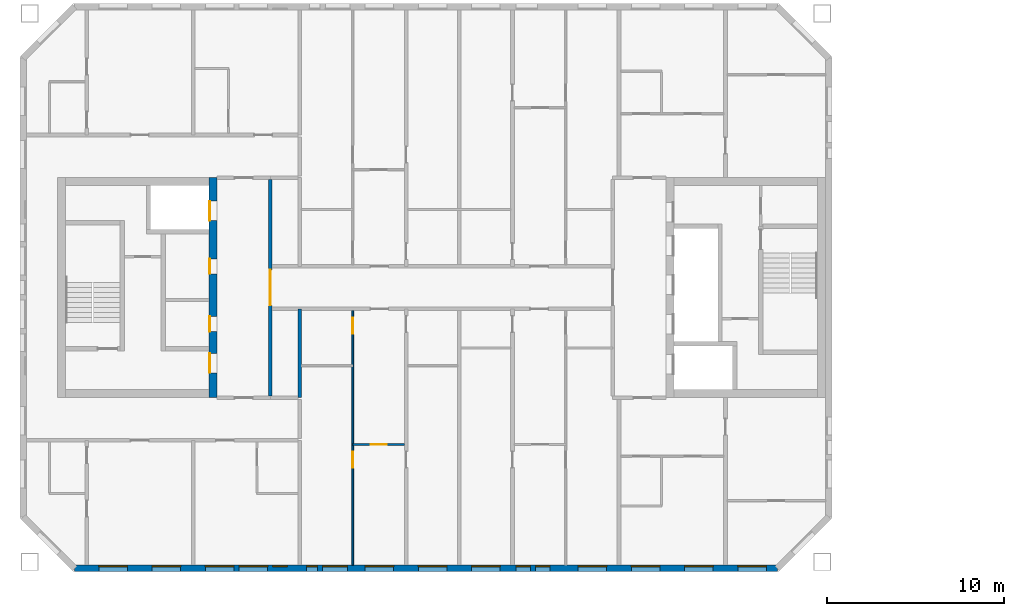
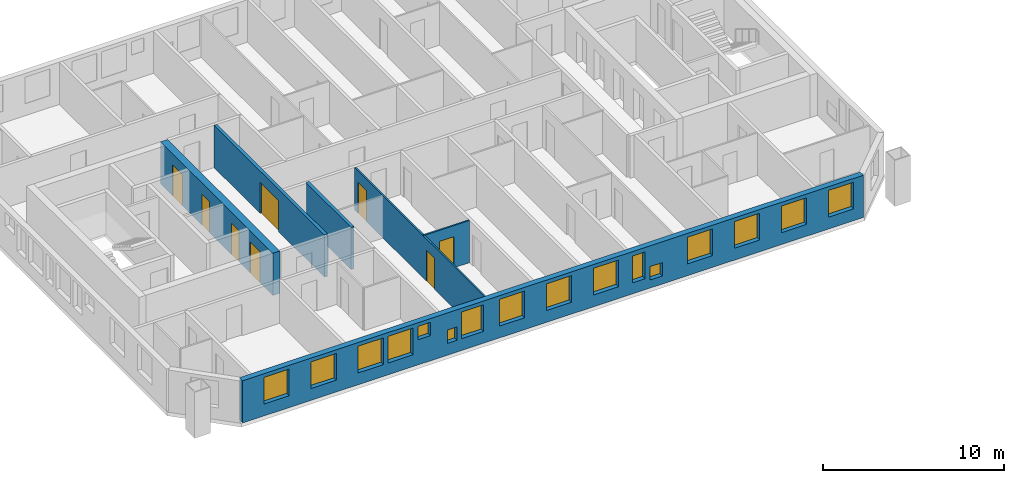
# One storey, part 3 of 15: 16 windows, 8 doors, 6 walls, 24 openings.
"""IFC4 building model written with IfcOpenShell, lengths in metres."""

import ifcopenshell
import ifcopenshell.guid

model = None  # the IFC model being written
_history = None  # IfcOwnerHistory: only IFC2X3 demands one
_inside = {}  # id of a spatial element -> (the spatial element, [elements in it])
_under = {}  # id of a project, library or spatial element -> (it, [spatial elements below it])
_declared = {}  # id of a project -> (the project, [libraries it declares])
_typed = {}  # id of a type object -> (the type object, [elements of that type])
_made_of = {}  # id of a material, layer set ... -> (it, [elements and type objects made of it])


def new_model(schema):
    """Start an empty IFC model of exactly this schema.

    Asked for "IFC4X3", IfcOpenShell would pick the latest addendum, in which some entities
    have other attributes; the version numbers below select the first issue.
    IFC2X3 requires an IfcOwnerHistory on every rooted entity: one is made here for all.
    """
    global model, _history
    if schema == "IFC4X3":
        model = ifcopenshell.file(schema_version=(4, 3, 0, 0))
    else:
        model = ifcopenshell.file(schema=schema)
    _inside.clear()
    _under.clear()
    _declared.clear()
    _typed.clear()
    _made_of.clear()
    _history = None
    if model.schema == "IFC2X3":
        org = make("IfcOrganization", Name="unknown")
        user = make(
            "IfcPersonAndOrganization",
            ThePerson=make("IfcPerson", FamilyName="unknown"),
            TheOrganization=org,
        )
        app = make(
            "IfcApplication",
            ApplicationDeveloper=org,
            Version="unknown",
            ApplicationFullName="unknown",
            ApplicationIdentifier="unknown",
        )
        _history = make(
            "IfcOwnerHistory",
            OwningUser=user,
            OwningApplication=app,
            ChangeAction="ADDED",
            CreationDate=0,
        )
    return model


def make(cls, **values):
    """One entity of the class cls with the attributes given. An attribute that is None is left unset."""
    return model.create_entity(
        cls, **{name: value for name, value in values.items() if value is not None}
    )


def rooted(cls, **values):
    """An entity with a GlobalId (a new one), such as an element, a storey or a relation."""
    return make(cls, GlobalId=ifcopenshell.guid.new(), OwnerHistory=_history, **values)


def si_unit(unit_type, name, prefix=None):
    """IfcSIUnit, for example si_unit("LENGTHUNIT", "METRE", prefix="MILLI")."""
    return make("IfcSIUnit", UnitType=unit_type, Prefix=prefix, Name=name)


def assignment(units):
    """IfcUnitAssignment: the units of a project."""
    return None if units is None else make("IfcUnitAssignment", Units=units)


def point(xyz):
    """IfcCartesianPoint."""
    return None if xyz is None else make("IfcCartesianPoint", Coordinates=xyz)


def direction(xyz):
    """IfcDirection."""
    return None if xyz is None else make("IfcDirection", DirectionRatios=xyz)


def frame(location, z_axis=None, x_axis=None):
    """IfcAxis2Placement3D, a coordinate frame: its origin and axes. An axis left out is left unset."""
    return make(
        "IfcAxis2Placement3D",
        Location=point(location),
        Axis=direction(z_axis),
        RefDirection=direction(x_axis),
    )


def frame_2d(location, x_axis=None):
    """IfcAxis2Placement2D, a coordinate frame in the plane: its origin and x axis."""
    return make(
        "IfcAxis2Placement2D", Location=point(location), RefDirection=direction(x_axis)
    )


def origin():
    """The frame at (0, 0, 0) with its axes left unset."""
    return frame((0.0, 0.0, 0.0))


def place(relative_to, where):
    """IfcLocalPlacement: puts the frame where relative to a parent placement (None: the world)."""
    return make(
        "IfcLocalPlacement", PlacementRelTo=relative_to, RelativePlacement=where
    )


def context(
    kind, dimensions, precision=None, world=None, true_north=None, identifier=None
):
    """IfcGeometricRepresentationContext, for example the 3D "Model" context."""
    return make(
        "IfcGeometricRepresentationContext",
        ContextIdentifier=identifier,
        ContextType=kind,
        CoordinateSpaceDimension=dimensions,
        Precision=precision,
        WorldCoordinateSystem=world,
        TrueNorth=true_north,
    )


def subcontext(parent, identifier, kind, view, scale=None):
    """IfcGeometricRepresentationSubContext, for example "Body" below "Model"."""
    return make(
        "IfcGeometricRepresentationSubContext",
        ContextIdentifier=identifier,
        ContextType=kind,
        ParentContext=parent,
        TargetScale=scale,
        TargetView=view,
    )


def project(units=None, contexts=None):
    """IfcProject with its units and contexts."""
    return rooted(
        "IfcProject",
        Name="project",
        RepresentationContexts=contexts,
        UnitsInContext=assignment(units),
    )


def spatial(cls, under=None, at=None, **own):
    """A site, building, storey or space (cls), placed at a placement, below another one or the project."""
    s = rooted(cls, ObjectPlacement=at, **own)
    if under is not None:
        _under.setdefault(under.id(), (under, []))[1].append(s)
    return s


def profile(cls, at=None, kind="AREA", **sizes):
    """A parametric profile (cls). Its sizes go by their IFC names, for example OverallWidth=200.0."""
    return make(cls, ProfileType=kind, Position=at, **sizes)


def rectangle(**sizes):
    """IfcRectangleProfileDef."""
    return profile("IfcRectangleProfileDef", **sizes)


def extrude(swept, where, along, depth):
    """IfcExtrudedAreaSolid: the profile swept, set in the frame where, extruded along a direction by depth."""
    return make(
        "IfcExtrudedAreaSolid",
        SweptArea=swept,
        Position=where,
        ExtrudedDirection=direction(along),
        Depth=depth,
    )


def shape(context_of_items, identifier, shape_type, items):
    """IfcShapeRepresentation: the items that make up one representation, for example the "Body"."""
    return make(
        "IfcShapeRepresentation",
        ContextOfItems=context_of_items,
        RepresentationIdentifier=identifier,
        RepresentationType=shape_type,
        Items=items,
    )


def material(Name=None, Category=None):
    """IfcMaterial."""
    return make("IfcMaterial", Name=Name, Category=Category)


def layer(
    of_material, thickness, ventilated=None, Name=None, Category=None, Priority=None
):
    """IfcMaterialLayer: one layer of a wall or slab, of a material (None: an air gap)."""
    return make(
        "IfcMaterialLayer",
        Material=of_material,
        LayerThickness=thickness,
        IsVentilated=ventilated,
        Name=Name,
        Category=Category,
        Priority=Priority,
    )


def layer_set(layers, Name=None):
    """IfcMaterialLayerSet."""
    return make("IfcMaterialLayerSet", MaterialLayers=layers, LayerSetName=Name)


def made_of(thing, what):
    """Note that an element or type object is made of a material, layer set ...; save() writes the relation."""
    if what is not None:
        _made_of.setdefault(what.id(), (what, []))[1].append(thing)
    return thing


def type_object(cls, material=None, **own):
    """A type object (cls), such as IfcWallType, which elements share."""
    return made_of(rooted(cls, **own), material)


def element(
    cls,
    number,
    at=None,
    inside=None,
    cuts=None,
    type_object=None,
    material=None,
    context=None,
    identifier="Body",
    shape_type=None,
    held_by="IfcProductDefinitionShape",
    body=None,
    shapes=None,
    **own,
):
    """One element of the class cls, such as IfcWall. Its Tag is "e" and its number.

    at: its placement. inside: the storey or other place that contains it. cuts: it is an
    opening in that element (IfcRelVoidsElement). A single representation is given by context,
    identifier, shape_type and body (its items); several are given by shapes. held_by: the class
    of the entity that holds the representations. save() writes the other relations.
    """
    e = rooted(cls, Tag="e%d" % number, ObjectPlacement=at, **own)
    if body is not None:
        shapes = [shape(context, identifier, shape_type, body)]
    if shapes is not None:
        e.Representation = make(held_by, Representations=shapes)
    if inside is not None:
        _inside.setdefault(inside.id(), (inside, []))[1].append(e)
    if cuts is not None:
        rooted(
            "IfcRelVoidsElement", RelatingBuildingElement=cuts, RelatedOpeningElement=e
        )
    if type_object is not None:
        _typed.setdefault(type_object.id(), (type_object, []))[1].append(e)
    return made_of(e, material)


def fill(opening, filler):
    """IfcRelFillsElement: the door or window that sits in an opening."""
    return rooted(
        "IfcRelFillsElement",
        RelatingOpeningElement=opening,
        RelatedBuildingElement=filler,
    )


def aggregate(whole, parts):
    """IfcRelAggregates: a whole, such as a stair, and the parts it consists of."""
    return rooted("IfcRelAggregates", RelatingObject=whole, RelatedObjects=parts)


def save(model, path):
    """Write the relations noted so far, then the file.

    IfcRelAggregates (storeys below a building ...), IfcRelContainedInSpatialStructure (elements
    in a storey), IfcRelDefinesByType, IfcRelAssociatesMaterial and IfcRelDeclares: one each for
    every whole, place, type object, material and project.
    """
    for whole, parts in _under.values():
        aggregate(whole, parts)
    for where, things in _inside.values():
        rooted(
            "IfcRelContainedInSpatialStructure",
            RelatedElements=things,
            RelatingStructure=where,
        )
    for kind, things in _typed.values():
        rooted("IfcRelDefinesByType", RelatedObjects=things, RelatingType=kind)
    for what, things in _made_of.values():
        rooted("IfcRelAssociatesMaterial", RelatedObjects=things, RelatingMaterial=what)
    for by, libraries in _declared.values():
        rooted("IfcRelDeclares", RelatingContext=by, RelatedDefinitions=libraries)
    model.write(path)


model = new_model("IFC4")

# Units and contexts
model_context = context("Model", 3, precision=1e-05, world=origin(), true_north=direction((0.0, 1.0)))
body_context = subcontext(model_context, "Body", "Model", "MODEL_VIEW")
ifc_project = project(units=[si_unit("LENGTHUNIT", "METRE"), si_unit("AREAUNIT", "SQUARE_METRE"), si_unit("VOLUMEUNIT", "CUBIC_METRE"), si_unit("PLANEANGLEUNIT", "RADIAN"), si_unit("MASSUNIT", "GRAM", prefix="KILO")], contexts=[model_context])

# Site, building, storey
site_placement = place(None, origin())
site = spatial("IfcSite", under=ifc_project, at=site_placement, CompositionType="ELEMENT")
building_placement = place(site_placement, origin())
building = spatial("IfcBuilding", under=site, at=building_placement, Name="Tuart Gate Housing", CompositionType="ELEMENT")
storey_placement = place(building_placement, frame((0.0, 0.0, 185.10009765625)))
storey = spatial("IfcBuildingStorey", under=building, at=storey_placement, Name="L52", CompositionType="ELEMENT", Elevation=185.10009765625)

# Wall, openings, windows
ifc_material_1 = material(Name="Brick", Category="masonry")
ifc_layer_1 = layer(ifc_material_1, 0.360107421875)
ifc_layer_set_1 = layer_set([ifc_layer_1], Name="Brick pier and spandrel wall 360")
wall_type_1 = type_object("IfcWallType", Name="Brick pier and spandrel wall 360", PredefinedType="STANDARD", material=ifc_layer_set_1)
wall_1_placement = place(storey_placement, frame((33.32470703125, 54.179931640625, 0.0), z_axis=(0.0, 0.0, 1.0), x_axis=(1.0, 0.0, 0.0)))
wall_1 = element("IfcWall", 1, at=wall_1_placement, inside=storey, type_object=wall_type_1, Name="External wall A-S L52", PredefinedType="STANDARD", context=body_context, shape_type="SweptSolid", body=[
    extrude(rectangle(XDim=39.600830078125, YDim=0.360107421875, at=frame_2d((19.80029296875, 0.0))), origin(), (0.0, 0.0, 1.0), 2.849853515625),
])
opening_1_placement = place(wall_1_placement, frame((1.37548828125, 0.0, 0.800048828125)))
opening_1 = element("IfcOpeningElement", 2, at=opening_1_placement, cuts=wall_1, Name="Opening W1", PredefinedType="OPENING", context=body_context, shape_type="SweptSolid", body=[
    extrude(rectangle(XDim=1.60009765625, YDim=1.800048828125, at=frame_2d((0.800048828125, 0.89990234375))), frame((0.0, 0.18994140625, 0.0), z_axis=(0.0, -1.0, 0.0), x_axis=(1.0, 0.0, 0.0)), (0.0, 0.0, 1.0), 0.380126953125),
])
opening_2_placement = place(wall_1_placement, frame((4.37548828125, 0.0, 0.800048828125)))
opening_2 = element("IfcOpeningElement", 3, at=opening_2_placement, cuts=wall_1, Name="Opening W1", PredefinedType="OPENING", context=body_context, shape_type="SweptSolid", body=[
    extrude(rectangle(XDim=1.60009765625, YDim=1.800048828125, at=frame_2d((0.800048828125, 0.89990234375))), frame((0.0, 0.18994140625, 0.0), z_axis=(0.0, -1.0, 0.0), x_axis=(1.0, 0.0, 0.0)), (0.0, 0.0, 1.0), 0.380126953125),
])
opening_3_placement = place(wall_1_placement, frame((7.37548828125, 0.0, 0.800048828125)))
opening_3 = element("IfcOpeningElement", 4, at=opening_3_placement, cuts=wall_1, Name="Opening W1", PredefinedType="OPENING", context=body_context, shape_type="SweptSolid", body=[
    extrude(rectangle(XDim=1.60009765625, YDim=1.800048828125, at=frame_2d((0.800048828125, 0.89990234375))), frame((0.0, 0.18994140625, 0.0), z_axis=(0.0, -1.0, 0.0), x_axis=(1.0, 0.0, 0.0)), (0.0, 0.0, 1.0), 0.380126953125),
])
opening_4_placement = place(wall_1_placement, frame((9.275390625, 0.0, 0.800048828125)))
opening_4 = element("IfcOpeningElement", 5, at=opening_4_placement, cuts=wall_1, Name="Opening W1", PredefinedType="OPENING", context=body_context, shape_type="SweptSolid", body=[
    extrude(rectangle(XDim=1.60009765625, YDim=1.800048828125, at=frame_2d((0.800048828125, 0.89990234375))), frame((0.0, 0.18994140625, 0.0), z_axis=(0.0, -1.0, 0.0), x_axis=(1.0, 0.0, 0.0)), (0.0, 0.0, 1.0), 0.380126953125),
])
opening_5_placement = place(wall_1_placement, frame((13.075439453125, 0.0, 0.800048828125)))
opening_5 = element("IfcOpeningElement", 6, at=opening_5_placement, cuts=wall_1, Name="Opening W1W", PredefinedType="OPENING", context=body_context, shape_type="SweptSolid", body=[
    extrude(rectangle(XDim=0.60009765625, YDim=0.89990234375, at=frame_2d((0.300048828125, 0.449951171875))), frame((0.0, 0.18994140625, 0.0), z_axis=(0.0, -1.0, 0.0), x_axis=(1.0, 0.0, 0.0)), (0.0, 0.0, 1.0), 0.380126953125),
])
opening_6_placement = place(wall_1_placement, frame((16.37548828125, 0.0, 0.800048828125)))
opening_6 = element("IfcOpeningElement", 7, at=opening_6_placement, cuts=wall_1, Name="Opening W1", PredefinedType="OPENING", context=body_context, shape_type="SweptSolid", body=[
    extrude(rectangle(XDim=1.60009765625, YDim=1.800048828125, at=frame_2d((0.800048828125, 0.89990234375))), frame((0.0, 0.18994140625, 0.0), z_axis=(0.0, -1.0, 0.0), x_axis=(1.0, 0.0, 0.0)), (0.0, 0.0, 1.0), 0.380126953125),
])
opening_7_placement = place(wall_1_placement, frame((19.37548828125, 0.0, 0.800048828125)))
opening_7 = element("IfcOpeningElement", 8, at=opening_7_placement, cuts=wall_1, Name="Opening W1", PredefinedType="OPENING", context=body_context, shape_type="SweptSolid", body=[
    extrude(rectangle(XDim=1.60009765625, YDim=1.800048828125, at=frame_2d((0.800048828125, 0.89990234375))), frame((0.0, 0.18994140625, 0.0), z_axis=(0.0, -1.0, 0.0), x_axis=(1.0, 0.0, 0.0)), (0.0, 0.0, 1.0), 0.380126953125),
])
opening_8_placement = place(wall_1_placement, frame((22.37548828125, 0.0, 0.800048828125)))
opening_8 = element("IfcOpeningElement", 9, at=opening_8_placement, cuts=wall_1, Name="Opening W1", PredefinedType="OPENING", context=body_context, shape_type="SweptSolid", body=[
    extrude(rectangle(XDim=1.60009765625, YDim=1.800048828125, at=frame_2d((0.800048828125, 0.89990234375))), frame((0.0, 0.18994140625, 0.0), z_axis=(0.0, -1.0, 0.0), x_axis=(1.0, 0.0, 0.0)), (0.0, 0.0, 1.0), 0.380126953125),
])
opening_9_placement = place(wall_1_placement, frame((24.87548828125, 0.0, 0.75)))
opening_9 = element("IfcOpeningElement", 10, at=opening_9_placement, cuts=wall_1, Name="Opening W1D", PredefinedType="OPENING", context=body_context, shape_type="SweptSolid", body=[
    extrude(rectangle(XDim=0.800048828125, YDim=1.800048828125, at=frame_2d((0.39990234375, 0.89990234375))), frame((0.0, 0.18994140625, 0.0), z_axis=(0.0, -1.0, 0.0), x_axis=(1.0, 0.0, 0.0)), (0.0, 0.0, 1.0), 0.380126953125),
])
opening_10_placement = place(wall_1_placement, frame((28.37548828125, 0.0, 0.800048828125)))
opening_10 = element("IfcOpeningElement", 11, at=opening_10_placement, cuts=wall_1, Name="Opening W1", PredefinedType="OPENING", context=body_context, shape_type="SweptSolid", body=[
    extrude(rectangle(XDim=1.60009765625, YDim=1.800048828125, at=frame_2d((0.800048828125, 0.89990234375))), frame((0.0, 0.18994140625, 0.0), z_axis=(0.0, -1.0, 0.0), x_axis=(1.0, 0.0, 0.0)), (0.0, 0.0, 1.0), 0.380126953125),
])
opening_11_placement = place(wall_1_placement, frame((31.37548828125, 0.0, 0.800048828125)))
opening_11 = element("IfcOpeningElement", 12, at=opening_11_placement, cuts=wall_1, Name="Opening W1", PredefinedType="OPENING", context=body_context, shape_type="SweptSolid", body=[
    extrude(rectangle(XDim=1.60009765625, YDim=1.800048828125, at=frame_2d((0.800048828125, 0.89990234375))), frame((0.0, 0.18994140625, 0.0), z_axis=(0.0, -1.0, 0.0), x_axis=(1.0, 0.0, 0.0)), (0.0, 0.0, 1.0), 0.380126953125),
])
opening_12_placement = place(wall_1_placement, frame((34.37548828125, 0.0, 0.800048828125)))
opening_12 = element("IfcOpeningElement", 13, at=opening_12_placement, cuts=wall_1, Name="Opening W1", PredefinedType="OPENING", context=body_context, shape_type="SweptSolid", body=[
    extrude(rectangle(XDim=1.60009765625, YDim=1.800048828125, at=frame_2d((0.800048828125, 0.89990234375))), frame((0.0, 0.18994140625, 0.0), z_axis=(0.0, -1.0, 0.0), x_axis=(1.0, 0.0, 0.0)), (0.0, 0.0, 1.0), 0.380126953125),
])
opening_13_placement = place(wall_1_placement, frame((37.37548828125, 0.0, 0.800048828125)))
opening_13 = element("IfcOpeningElement", 14, at=opening_13_placement, cuts=wall_1, Name="Opening W1", PredefinedType="OPENING", context=body_context, shape_type="SweptSolid", body=[
    extrude(rectangle(XDim=1.60009765625, YDim=1.800048828125, at=frame_2d((0.800048828125, 0.89990234375))), frame((0.0, 0.18994140625, 0.0), z_axis=(0.0, -1.0, 0.0), x_axis=(1.0, 0.0, 0.0)), (0.0, 0.0, 1.0), 0.380126953125),
])
opening_14_placement = place(wall_1_placement, frame((11.17529296875, 0.0, 1.699951171875)))
opening_14 = element("IfcOpeningElement", 15, at=opening_14_placement, cuts=wall_1, Name="Opening W1V", PredefinedType="OPENING", context=body_context, shape_type="SweptSolid", body=[
    extrude(rectangle(XDim=0.800048828125, YDim=0.89990234375, at=frame_2d((0.39990234375, 0.449951171875))), frame((0.0, 0.18994140625, 0.0), z_axis=(0.0, -1.0, 0.0), x_axis=(1.0, 0.0, 0.0)), (0.0, 0.0, 1.0), 0.380126953125),
])
opening_15_placement = place(wall_1_placement, frame((13.975341796875, 0.0, 0.800048828125)))
opening_15 = element("IfcOpeningElement", 16, at=opening_15_placement, cuts=wall_1, Name="Opening W1A", PredefinedType="OPENING", context=body_context, shape_type="SweptSolid", body=[
    extrude(rectangle(XDim=1.39990234375, YDim=1.800048828125, at=frame_2d((0.699951171875, 0.89990234375))), frame((0.0, 0.18994140625, 0.0), z_axis=(0.0, -1.0, 0.0), x_axis=(1.0, 0.0, 0.0)), (0.0, 0.0, 1.0), 0.380126953125),
])
opening_16_placement = place(wall_1_placement, frame((25.975341796875, 0.0, 0.550048828125)))
opening_16 = element("IfcOpeningElement", 17, at=opening_16_placement, cuts=wall_1, Name="Opening W1V", PredefinedType="OPENING", context=body_context, shape_type="SweptSolid", body=[
    extrude(rectangle(XDim=0.800048828125, YDim=0.89990234375, at=frame_2d((0.39990234375, 0.449951171875))), frame((0.0, 0.18994140625, 0.0), z_axis=(0.0, -1.0, 0.0), x_axis=(1.0, 0.0, 0.0)), (0.0, 0.0, 1.0), 0.380126953125),
])
ifc_material_2 = material(Name="Aluminium frame with clear glass", Category="aluminium")
window_type_1 = type_object("IfcWindowType", Name="Punched window 1400 x 1800", PartitioningType="SINGLE_PANEL", PredefinedType="WINDOW", material=ifc_material_2)
window_1_placement = place(opening_15_placement, origin())
window_1 = element("IfcWindow", 18, at=window_1_placement, inside=storey, type_object=window_type_1, Name="Window W1A", OverallHeight=1.800048828125, OverallWidth=1.39990234375, PartitioningType="SINGLE_PANEL", PredefinedType="WINDOW", context=body_context, shape_type="SweptSolid", body=[
    extrude(rectangle(XDim=1.39990234375, YDim=1.800048828125, at=frame_2d((0.699951171875, 0.89990234375))), frame((0.0, 0.150146484375, 0.0), z_axis=(0.0, -1.0, 0.0), x_axis=(1.0, 0.0, 0.0)), (0.0, 0.0, 1.0), 0.06005859375),
])
fill(opening_15, window_1)
ifc_material_3 = material(Name="Aluminium frame with clear glass", Category="aluminium")
window_type_2 = type_object("IfcWindowType", Name="Punched window 1600 x 1800", PartitioningType="SINGLE_PANEL", PredefinedType="WINDOW", material=ifc_material_3)
window_2_placement = place(opening_1_placement, origin())
window_2 = element("IfcWindow", 19, at=window_2_placement, inside=storey, type_object=window_type_2, Name="Window W1", OverallHeight=1.800048828125, OverallWidth=1.60009765625, PartitioningType="SINGLE_PANEL", PredefinedType="WINDOW", context=body_context, shape_type="SweptSolid", body=[
    extrude(rectangle(XDim=1.60009765625, YDim=1.800048828125, at=frame_2d((0.800048828125, 0.89990234375))), frame((0.0, 0.150146484375, 0.0), z_axis=(0.0, -1.0, 0.0), x_axis=(1.0, 0.0, 0.0)), (0.0, 0.0, 1.0), 0.06005859375),
])
fill(opening_1, window_2)
window_3_placement = place(opening_2_placement, origin())
window_3 = element("IfcWindow", 20, at=window_3_placement, inside=storey, type_object=window_type_2, Name="Window W1", OverallHeight=1.800048828125, OverallWidth=1.60009765625, PartitioningType="SINGLE_PANEL", PredefinedType="WINDOW", context=body_context, shape_type="SweptSolid", body=[
    extrude(rectangle(XDim=1.60009765625, YDim=1.800048828125, at=frame_2d((0.800048828125, 0.89990234375))), frame((0.0, 0.150146484375, 0.0), z_axis=(0.0, -1.0, 0.0), x_axis=(1.0, 0.0, 0.0)), (0.0, 0.0, 1.0), 0.06005859375),
])
fill(opening_2, window_3)
window_4_placement = place(opening_3_placement, origin())
window_4 = element("IfcWindow", 21, at=window_4_placement, inside=storey, type_object=window_type_2, Name="Window W1", OverallHeight=1.800048828125, OverallWidth=1.60009765625, PartitioningType="SINGLE_PANEL", PredefinedType="WINDOW", context=body_context, shape_type="SweptSolid", body=[
    extrude(rectangle(XDim=1.60009765625, YDim=1.800048828125, at=frame_2d((0.800048828125, 0.89990234375))), frame((0.0, 0.150146484375, 0.0), z_axis=(0.0, -1.0, 0.0), x_axis=(1.0, 0.0, 0.0)), (0.0, 0.0, 1.0), 0.06005859375),
])
fill(opening_3, window_4)
window_5_placement = place(opening_4_placement, origin())
window_5 = element("IfcWindow", 22, at=window_5_placement, inside=storey, type_object=window_type_2, Name="Window W1", OverallHeight=1.800048828125, OverallWidth=1.60009765625, PartitioningType="SINGLE_PANEL", PredefinedType="WINDOW", context=body_context, shape_type="SweptSolid", body=[
    extrude(rectangle(XDim=1.60009765625, YDim=1.800048828125, at=frame_2d((0.800048828125, 0.89990234375))), frame((0.0, 0.150146484375, 0.0), z_axis=(0.0, -1.0, 0.0), x_axis=(1.0, 0.0, 0.0)), (0.0, 0.0, 1.0), 0.06005859375),
])
fill(opening_4, window_5)
window_6_placement = place(opening_6_placement, origin())
window_6 = element("IfcWindow", 23, at=window_6_placement, inside=storey, type_object=window_type_2, Name="Window W1", OverallHeight=1.800048828125, OverallWidth=1.60009765625, PartitioningType="SINGLE_PANEL", PredefinedType="WINDOW", context=body_context, shape_type="SweptSolid", body=[
    extrude(rectangle(XDim=1.60009765625, YDim=1.800048828125, at=frame_2d((0.800048828125, 0.89990234375))), frame((0.0, 0.150146484375, 0.0), z_axis=(0.0, -1.0, 0.0), x_axis=(1.0, 0.0, 0.0)), (0.0, 0.0, 1.0), 0.06005859375),
])
fill(opening_6, window_6)
window_7_placement = place(opening_7_placement, origin())
window_7 = element("IfcWindow", 24, at=window_7_placement, inside=storey, type_object=window_type_2, Name="Window W1", OverallHeight=1.800048828125, OverallWidth=1.60009765625, PartitioningType="SINGLE_PANEL", PredefinedType="WINDOW", context=body_context, shape_type="SweptSolid", body=[
    extrude(rectangle(XDim=1.60009765625, YDim=1.800048828125, at=frame_2d((0.800048828125, 0.89990234375))), frame((0.0, 0.150146484375, 0.0), z_axis=(0.0, -1.0, 0.0), x_axis=(1.0, 0.0, 0.0)), (0.0, 0.0, 1.0), 0.06005859375),
])
fill(opening_7, window_7)
window_8_placement = place(opening_8_placement, origin())
window_8 = element("IfcWindow", 25, at=window_8_placement, inside=storey, type_object=window_type_2, Name="Window W1", OverallHeight=1.800048828125, OverallWidth=1.60009765625, PartitioningType="SINGLE_PANEL", PredefinedType="WINDOW", context=body_context, shape_type="SweptSolid", body=[
    extrude(rectangle(XDim=1.60009765625, YDim=1.800048828125, at=frame_2d((0.800048828125, 0.89990234375))), frame((0.0, 0.150146484375, 0.0), z_axis=(0.0, -1.0, 0.0), x_axis=(1.0, 0.0, 0.0)), (0.0, 0.0, 1.0), 0.06005859375),
])
fill(opening_8, window_8)
window_9_placement = place(opening_10_placement, origin())
window_9 = element("IfcWindow", 26, at=window_9_placement, inside=storey, type_object=window_type_2, Name="Window W1", OverallHeight=1.800048828125, OverallWidth=1.60009765625, PartitioningType="SINGLE_PANEL", PredefinedType="WINDOW", context=body_context, shape_type="SweptSolid", body=[
    extrude(rectangle(XDim=1.60009765625, YDim=1.800048828125, at=frame_2d((0.800048828125, 0.89990234375))), frame((0.0, 0.150146484375, 0.0), z_axis=(0.0, -1.0, 0.0), x_axis=(1.0, 0.0, 0.0)), (0.0, 0.0, 1.0), 0.06005859375),
])
fill(opening_10, window_9)
window_10_placement = place(opening_11_placement, origin())
window_10 = element("IfcWindow", 27, at=window_10_placement, inside=storey, type_object=window_type_2, Name="Window W1", OverallHeight=1.800048828125, OverallWidth=1.60009765625, PartitioningType="SINGLE_PANEL", PredefinedType="WINDOW", context=body_context, shape_type="SweptSolid", body=[
    extrude(rectangle(XDim=1.60009765625, YDim=1.800048828125, at=frame_2d((0.800048828125, 0.89990234375))), frame((0.0, 0.150146484375, 0.0), z_axis=(0.0, -1.0, 0.0), x_axis=(1.0, 0.0, 0.0)), (0.0, 0.0, 1.0), 0.06005859375),
])
fill(opening_11, window_10)
window_11_placement = place(opening_12_placement, origin())
window_11 = element("IfcWindow", 28, at=window_11_placement, inside=storey, type_object=window_type_2, Name="Window W1", OverallHeight=1.800048828125, OverallWidth=1.60009765625, PartitioningType="SINGLE_PANEL", PredefinedType="WINDOW", context=body_context, shape_type="SweptSolid", body=[
    extrude(rectangle(XDim=1.60009765625, YDim=1.800048828125, at=frame_2d((0.800048828125, 0.89990234375))), frame((0.0, 0.150146484375, 0.0), z_axis=(0.0, -1.0, 0.0), x_axis=(1.0, 0.0, 0.0)), (0.0, 0.0, 1.0), 0.06005859375),
])
fill(opening_12, window_11)
window_12_placement = place(opening_13_placement, origin())
window_12 = element("IfcWindow", 29, at=window_12_placement, inside=storey, type_object=window_type_2, Name="Window W1", OverallHeight=1.800048828125, OverallWidth=1.60009765625, PartitioningType="SINGLE_PANEL", PredefinedType="WINDOW", context=body_context, shape_type="SweptSolid", body=[
    extrude(rectangle(XDim=1.60009765625, YDim=1.800048828125, at=frame_2d((0.800048828125, 0.89990234375))), frame((0.0, 0.150146484375, 0.0), z_axis=(0.0, -1.0, 0.0), x_axis=(1.0, 0.0, 0.0)), (0.0, 0.0, 1.0), 0.06005859375),
])
fill(opening_13, window_12)
ifc_material_4 = material(Name="Aluminium frame with clear glass", Category="aluminium")
window_type_3 = type_object("IfcWindowType", Name="Punched window 600 x 900", PartitioningType="SINGLE_PANEL", PredefinedType="WINDOW", material=ifc_material_4)
window_13_placement = place(opening_5_placement, origin())
window_13 = element("IfcWindow", 30, at=window_13_placement, inside=storey, type_object=window_type_3, Name="Window W1W", OverallHeight=0.89990234375, OverallWidth=0.60009765625, PartitioningType="SINGLE_PANEL", PredefinedType="WINDOW", context=body_context, shape_type="SweptSolid", body=[
    extrude(rectangle(XDim=0.60009765625, YDim=0.89990234375, at=frame_2d((0.300048828125, 0.449951171875))), frame((0.0, 0.150146484375, 0.0), z_axis=(0.0, -1.0, 0.0), x_axis=(1.0, 0.0, 0.0)), (0.0, 0.0, 1.0), 0.06005859375),
])
fill(opening_5, window_13)
ifc_material_5 = material(Name="Aluminium frame with clear glass", Category="aluminium")
window_type_4 = type_object("IfcWindowType", Name="Punched window 800 x 1800", PartitioningType="SINGLE_PANEL", PredefinedType="WINDOW", material=ifc_material_5)
window_14_placement = place(opening_9_placement, origin())
window_14 = element("IfcWindow", 31, at=window_14_placement, inside=storey, type_object=window_type_4, Name="Window W1D", OverallHeight=1.800048828125, OverallWidth=0.800048828125, PartitioningType="SINGLE_PANEL", PredefinedType="WINDOW", context=body_context, shape_type="SweptSolid", body=[
    extrude(rectangle(XDim=0.800048828125, YDim=1.800048828125, at=frame_2d((0.39990234375, 0.89990234375))), frame((0.0, 0.150146484375, 0.0), z_axis=(0.0, -1.0, 0.0), x_axis=(1.0, 0.0, 0.0)), (0.0, 0.0, 1.0), 0.06005859375),
])
fill(opening_9, window_14)
ifc_material_6 = material(Name="Aluminium frame with clear glass", Category="aluminium")
window_type_5 = type_object("IfcWindowType", Name="Punched window 800 x 900", PartitioningType="SINGLE_PANEL", PredefinedType="WINDOW", material=ifc_material_6)
window_15_placement = place(opening_14_placement, origin())
window_15 = element("IfcWindow", 32, at=window_15_placement, inside=storey, type_object=window_type_5, Name="Window W1V", OverallHeight=0.89990234375, OverallWidth=0.800048828125, PartitioningType="SINGLE_PANEL", PredefinedType="WINDOW", context=body_context, shape_type="SweptSolid", body=[
    extrude(rectangle(XDim=0.800048828125, YDim=0.89990234375, at=frame_2d((0.39990234375, 0.449951171875))), frame((0.0, 0.150146484375, 0.0), z_axis=(0.0, -1.0, 0.0), x_axis=(1.0, 0.0, 0.0)), (0.0, 0.0, 1.0), 0.06005859375),
])
fill(opening_14, window_15)
window_16_placement = place(opening_16_placement, origin())
window_16 = element("IfcWindow", 33, at=window_16_placement, inside=storey, type_object=window_type_5, Name="Window W1V", OverallHeight=0.89990234375, OverallWidth=0.800048828125, PartitioningType="SINGLE_PANEL", PredefinedType="WINDOW", context=body_context, shape_type="SweptSolid", body=[
    extrude(rectangle(XDim=0.800048828125, YDim=0.89990234375, at=frame_2d((0.39990234375, 0.449951171875))), frame((0.0, 0.150146484375, 0.0), z_axis=(0.0, -1.0, 0.0), x_axis=(1.0, 0.0, 0.0)), (0.0, 0.0, 1.0), 0.06005859375),
])
fill(opening_16, window_16)

# Wall, openings, doors
ifc_material_7 = material(Name="Concrete C40", Category="concrete")
ifc_layer_2 = layer(ifc_material_7, 0.449951171875)
ifc_layer_set_2 = layer_set([ifc_layer_2], Name="Core wall 450 C40")
wall_type_2 = type_object("IfcWallType", Name="Core wall 450 C40", PredefinedType="SHEAR", material=ifc_layer_set_2)
wall_2_placement = place(storey_placement, frame((41.135009765625, 76.199951171875, 0.0), z_axis=(0.0, 0.0, 1.0), x_axis=(0.0, -1.0, 0.0)))
wall_2 = element("IfcWall", 34, at=wall_2_placement, inside=storey, type_object=wall_type_2, Name="Core wall AK front", PredefinedType="SHEAR", context=body_context, shape_type="SweptSolid", body=[
    extrude(rectangle(XDim=12.39990234375, YDim=0.449951171875, at=frame_2d((6.199951171875, 0.0))), origin(), (0.0, 0.0, 1.0), 2.849853515625),
])
opening_17_placement = place(wall_2_placement, frame((1.324951171875, 0.0, 0.0)))
opening_17 = element("IfcOpeningElement", 35, at=opening_17_placement, cuts=wall_2, Name="Opening LD-FA2", PredefinedType="OPENING", context=body_context, shape_type="SweptSolid", body=[
    extrude(rectangle(XDim=1.10009765625, YDim=2.10009765625, at=frame_2d((0.550048828125, 1.050048828125))), frame((0.0, 0.23486328125, 0.0), z_axis=(0.0, -1.0, 0.0), x_axis=(1.0, 0.0, 0.0)), (0.0, 0.0, 1.0), 0.469970703125),
])
opening_18_placement = place(wall_2_placement, frame((4.574951171875, 0.0, 0.0)))
opening_18 = element("IfcOpeningElement", 36, at=opening_18_placement, cuts=wall_2, Name="Opening D1866", PredefinedType="OPENING", context=body_context, shape_type="SweptSolid", body=[
    extrude(rectangle(XDim=0.85009765625, YDim=2.10009765625, at=frame_2d((0.425048828125, 1.050048828125))), frame((0.0, 0.23486328125, 0.0), z_axis=(0.0, -1.0, 0.0), x_axis=(1.0, 0.0, 0.0)), (0.0, 0.0, 1.0), 0.469970703125),
])
opening_19_placement = place(wall_2_placement, frame((7.824951171875, 0.0, 0.0)))
opening_19 = element("IfcOpeningElement", 37, at=opening_19_placement, cuts=wall_2, Name="Opening D1867", PredefinedType="OPENING", context=body_context, shape_type="SweptSolid", body=[
    extrude(rectangle(XDim=0.85009765625, YDim=2.10009765625, at=frame_2d((0.425048828125, 1.050048828125))), frame((0.0, 0.23486328125, 0.0), z_axis=(0.0, -1.0, 0.0), x_axis=(1.0, 0.0, 0.0)), (0.0, 0.0, 1.0), 0.469970703125),
])
opening_20_placement = place(wall_2_placement, frame((9.89990234375, 0.0, 0.0)))
opening_20 = element("IfcOpeningElement", 38, at=opening_20_placement, cuts=wall_2, Name="Opening D1865", PredefinedType="OPENING", context=body_context, shape_type="SweptSolid", body=[
    extrude(rectangle(XDim=1.10009765625, YDim=2.10009765625, at=frame_2d((0.550048828125, 1.050048828125))), frame((0.0, 0.23486328125, 0.0), z_axis=(0.0, -1.0, 0.0), x_axis=(1.0, 0.0, 0.0)), (0.0, 0.0, 1.0), 0.469970703125),
])
ifc_material_8 = material(Name="Stainless steel", Category="steel")
door_type_1 = type_object("IfcDoorType", Name="Landing door 1100 x 2100", OperationType="DOUBLE_DOOR_SLIDING", PredefinedType="DOOR", material=ifc_material_8)
door_1_placement = place(opening_17_placement, origin())
door_1 = element("IfcDoor", 39, at=door_1_placement, inside=storey, type_object=door_type_1, Name="Lift landing door FA2", OperationType="DOUBLE_DOOR_SLIDING", OverallHeight=2.10009765625, OverallWidth=1.10009765625, PredefinedType="DOOR", context=body_context, shape_type="SweptSolid", body=[
    extrude(rectangle(XDim=1.10009765625, YDim=2.10009765625, at=frame_2d((0.550048828125, 1.050048828125))), frame((0.0, -0.16015625, 0.0), z_axis=(0.0, -1.0, 0.0), x_axis=(1.0, 0.0, 0.0)), (0.0, 0.0, 1.0), 0.050048828125),
])
fill(opening_17, door_1)
ifc_material_9 = material(Name="Steel fire door", Category="steel")
door_type_2 = type_object("IfcDoorType", Name="Lobby door 1100 x 2100 RH", OperationType="SINGLE_SWING_RIGHT", PredefinedType="DOOR", material=ifc_material_9)
door_2_placement = place(opening_20_placement, frame((1.10009765625, 0.0, 0.0), z_axis=(0.0, 0.0, 1.0), x_axis=(-1.0, 0.0, 0.0)))
door_2 = element("IfcDoor", 40, at=door_2_placement, inside=storey, type_object=door_type_2, Name="Lobby entry door AK.EN", OperationType="SINGLE_SWING_RIGHT", OverallHeight=2.10009765625, OverallWidth=1.10009765625, PredefinedType="DOOR", context=body_context, shape_type="SweptSolid", body=[
    extrude(rectangle(XDim=1.10009765625, YDim=2.10009765625, at=frame_2d((0.550048828125, 1.050048828125))), frame((0.0, 0.210205078125, 0.0), z_axis=(0.0, -1.0, 0.0), x_axis=(1.0, 0.0, 0.0)), (0.0, 0.0, 1.0), 0.050048828125),
])
fill(opening_20, door_2)
ifc_material_10 = material(Name="Steel fire door", Category="steel")
door_type_3 = type_object("IfcDoorType", Name="Service door 850 x 2100 RH", OperationType="SINGLE_SWING_RIGHT", PredefinedType="DOOR", material=ifc_material_10)
door_3_placement = place(opening_18_placement, frame((0.85009765625, 0.0, 0.0), z_axis=(0.0, 0.0, 1.0), x_axis=(-1.0, 0.0, 0.0)))
door_3 = element("IfcDoor", 41, at=door_3_placement, inside=storey, type_object=door_type_3, Name="Service room door AK.FR1", OperationType="SINGLE_SWING_RIGHT", OverallHeight=2.10009765625, OverallWidth=0.85009765625, PredefinedType="DOOR", context=body_context, shape_type="SweptSolid", body=[
    extrude(rectangle(XDim=0.85009765625, YDim=2.10009765625, at=frame_2d((0.425048828125, 1.050048828125))), frame((0.0, 0.210205078125, 0.0), z_axis=(0.0, -1.0, 0.0), x_axis=(1.0, 0.0, 0.0)), (0.0, 0.0, 1.0), 0.050048828125),
])
fill(opening_18, door_3)
door_4_placement = place(opening_19_placement, frame((0.85009765625, 0.0, 0.0), z_axis=(0.0, 0.0, 1.0), x_axis=(-1.0, 0.0, 0.0)))
door_4 = element("IfcDoor", 42, at=door_4_placement, inside=storey, type_object=door_type_3, Name="Service room door AK.FR2", OperationType="SINGLE_SWING_RIGHT", OverallHeight=2.10009765625, OverallWidth=0.85009765625, PredefinedType="DOOR", context=body_context, shape_type="SweptSolid", body=[
    extrude(rectangle(XDim=0.85009765625, YDim=2.10009765625, at=frame_2d((0.425048828125, 1.050048828125))), frame((0.0, 0.210205078125, 0.0), z_axis=(0.0, -1.0, 0.0), x_axis=(1.0, 0.0, 0.0)), (0.0, 0.0, 1.0), 0.050048828125),
])
fill(opening_19, door_4)

# Wall, opening, door
ifc_material_11 = material(Name="Plasterboard partition")
ifc_layer_3 = layer(ifc_material_11, 0.199951171875)
ifc_layer_set_3 = layer_set([ifc_layer_3], Name="Lobby wall 200")
wall_type_3 = type_object("IfcWallType", Name="Lobby wall 200", PredefinedType="PARTITIONING", material=ifc_layer_set_3)
wall_3_placement = place(storey_placement, frame((44.360107421875, 63.89990234375, 0.0), z_axis=(0.0, 0.0, 1.0), x_axis=(0.0, 1.0, 0.0)))
wall_3 = element("IfcWall", 43, at=wall_3_placement, inside=storey, type_object=wall_type_3, Name="Lift lobby wall AK", PredefinedType="PARTITIONING", context=body_context, shape_type="SweptSolid", body=[
    extrude(rectangle(XDim=12.2001953125, YDim=0.199951171875, at=frame_2d((6.10009765625, 0.0))), origin(), (0.0, 0.0, 1.0), 2.849853515625),
])
opening_21_placement = place(wall_3_placement, frame((5.10009765625, 0.0, 0.0)))
opening_21 = element("IfcOpeningElement", 44, at=opening_21_placement, cuts=wall_3, Name="Opening D1868", PredefinedType="OPENING", context=body_context, shape_type="SweptSolid", body=[
    extrude(rectangle(XDim=2.0, YDim=2.10009765625, at=frame_2d((1.0, 1.050048828125))), frame((0.0, 0.10986328125, 0.0), z_axis=(0.0, -1.0, 0.0), x_axis=(1.0, 0.0, 0.0)), (0.0, 0.0, 1.0), 0.219970703125),
])
ifc_material_12 = material(Name="Steel fire door", Category="steel")
door_type_4 = type_object("IfcDoorType", Name="Smoke door 2000 x 2100", OperationType="DOUBLE_DOOR_SINGLE_SWING", PredefinedType="DOOR", material=ifc_material_12)
door_5_placement = place(opening_21_placement, origin())
door_5 = element("IfcDoor", 45, at=door_5_placement, inside=storey, type_object=door_type_4, Name="Lift lobby smoke door AK", OperationType="DOUBLE_DOOR_SINGLE_SWING", OverallHeight=2.10009765625, OverallWidth=2.0, PredefinedType="DOOR", context=body_context, shape_type="SweptSolid", body=[
    extrude(rectangle(XDim=2.0, YDim=2.10009765625, at=frame_2d((1.0, 1.050048828125))), frame((0.0, 0.02490234375, 0.0), z_axis=(0.0, -1.0, 0.0), x_axis=(1.0, 0.0, 0.0)), (0.0, 0.0, 1.0), 0.050048828125),
])
fill(opening_21, door_5)

ifc_material_13 = material(Name="Gypsum board on steel studs", Category="steel")
ifc_layer_4 = layer(ifc_material_13, 0.10009765625)
ifc_layer_set_4 = layer_set([ifc_layer_4], Name="Partition 100")
wall_type_4 = type_object("IfcWallType", Name="Partition 100", PredefinedType="PARTITIONING", material=ifc_layer_set_4)
wall_4_placement = place(storey_placement, frame((49.0, 61.159912109375, 0.0), z_axis=(0.0, 0.0, 1.0), x_axis=(1.0, 0.0, 0.0)))
wall_4 = element("IfcWall", 46, at=wall_4_placement, inside=storey, type_object=wall_type_4, Name="Partition 100", PredefinedType="PARTITIONING", context=body_context, shape_type="SweptSolid", body=[
    extrude(rectangle(XDim=2.89990234375, YDim=0.10009765625, at=frame_2d((1.449951171875, 0.0))), origin(), (0.0, 0.0, 1.0), 2.849853515625),
])
opening_22_placement = place(wall_4_placement, frame((1.0, 0.0, 0.0)))
opening_22 = element("IfcOpeningElement", 47, at=opening_22_placement, cuts=wall_4, Name="Opening D1888", PredefinedType="OPENING", context=body_context, shape_type="SweptSolid", body=[
    extrude(rectangle(XDim=0.89990234375, YDim=2.10009765625, at=frame_2d((0.449951171875, 1.050048828125))), frame((0.0, 0.06005859375, 0.0), z_axis=(0.0, -1.0, 0.0), x_axis=(1.0, 0.0, 0.0)), (0.0, 0.0, 1.0), 0.1201171875),
])
ifc_material_14 = material(Name="Timber door leaf in steel frame", Category="steel")
door_type_5 = type_object("IfcDoorType", Name="Internal door 900", OperationType="SINGLE_SWING_LEFT", PredefinedType="DOOR", material=ifc_material_14)
door_6_placement = place(opening_22_placement, origin())
door_6 = element("IfcDoor", 48, at=door_6_placement, inside=storey, type_object=door_type_5, Name="Internal door", OperationType="SINGLE_SWING_LEFT", OverallHeight=2.10009765625, OverallWidth=0.89990234375, PredefinedType="DOOR", context=body_context, shape_type="SweptSolid", body=[
    extrude(rectangle(XDim=0.89990234375, YDim=2.10009765625, at=frame_2d((0.449951171875, 1.050048828125))), frame((0.0, 0.02490234375, 0.0), z_axis=(0.0, -1.0, 0.0), x_axis=(1.0, 0.0, 0.0)), (0.0, 0.0, 1.0), 0.050048828125),
])
fill(opening_22, door_6)

# Wall, openings, doors
wall_5_placement = place(storey_placement, frame((49.0, 54.360107421875, 0.0), z_axis=(0.0, 0.0, 1.0), x_axis=(0.0, 1.0, 0.0)))
wall_5 = element("IfcWall", 49, at=wall_5_placement, inside=storey, type_object=wall_type_4, Name="Partition 100", PredefinedType="PARTITIONING", context=body_context, shape_type="SweptSolid", body=[
    extrude(rectangle(XDim=14.33984375, YDim=0.10009765625, at=frame_2d((7.169921875, 0.0))), origin(), (0.0, 0.0, 1.0), 2.849853515625),
])
opening_23_placement = place(wall_5_placement, frame((5.5, 0.0, 0.0)))
opening_23 = element("IfcOpeningElement", 50, at=opening_23_placement, cuts=wall_5, Name="Opening D1883", PredefinedType="OPENING", context=body_context, shape_type="SweptSolid", body=[
    extrude(rectangle(XDim=0.89990234375, YDim=2.10009765625, at=frame_2d((0.449951171875, 1.050048828125))), frame((0.0, 0.06005859375, 0.0), z_axis=(0.0, -1.0, 0.0), x_axis=(1.0, 0.0, 0.0)), (0.0, 0.0, 1.0), 0.1201171875),
])
opening_24_placement = place(wall_5_placement, frame((13.0400390625, 0.0, 0.0)))
opening_24 = element("IfcOpeningElement", 51, at=opening_24_placement, cuts=wall_5, Name="Opening D1882", PredefinedType="OPENING", context=body_context, shape_type="SweptSolid", body=[
    extrude(rectangle(XDim=0.89990234375, YDim=2.10009765625, at=frame_2d((0.449951171875, 1.050048828125))), frame((0.0, 0.06005859375, 0.0), z_axis=(0.0, -1.0, 0.0), x_axis=(1.0, 0.0, 0.0)), (0.0, 0.0, 1.0), 0.1201171875),
])
ifc_material_15 = material(Name="Timber door leaf in steel frame", Category="steel")
door_type_6 = type_object("IfcDoorType", Name="Bathroom door 900 RH", OperationType="SINGLE_SWING_RIGHT", PredefinedType="DOOR", material=ifc_material_15)
door_7_placement = place(opening_24_placement, origin())
door_7 = element("IfcDoor", 52, at=door_7_placement, inside=storey, type_object=door_type_6, Name="Bathroom door", OperationType="SINGLE_SWING_RIGHT", OverallHeight=2.10009765625, OverallWidth=0.89990234375, PredefinedType="DOOR", context=body_context, shape_type="SweptSolid", body=[
    extrude(rectangle(XDim=0.89990234375, YDim=2.10009765625, at=frame_2d((0.449951171875, 1.050048828125))), frame((0.0, 0.02490234375, 0.0), z_axis=(0.0, -1.0, 0.0), x_axis=(1.0, 0.0, 0.0)), (0.0, 0.0, 1.0), 0.050048828125),
])
fill(opening_24, door_7)
ifc_material_16 = material(Name="Timber door leaf in steel frame", Category="steel")
door_type_7 = type_object("IfcDoorType", Name="Internal door 900 RH", OperationType="SINGLE_SWING_RIGHT", PredefinedType="DOOR", material=ifc_material_16)
door_8_placement = place(opening_23_placement, origin())
door_8 = element("IfcDoor", 53, at=door_8_placement, inside=storey, type_object=door_type_7, Name="Internal door", OperationType="SINGLE_SWING_RIGHT", OverallHeight=2.10009765625, OverallWidth=0.89990234375, PredefinedType="DOOR", context=body_context, shape_type="SweptSolid", body=[
    extrude(rectangle(XDim=0.89990234375, YDim=2.10009765625, at=frame_2d((0.449951171875, 1.050048828125))), frame((0.0, 0.02490234375, 0.0), z_axis=(0.0, -1.0, 0.0), x_axis=(1.0, 0.0, 0.0)), (0.0, 0.0, 1.0), 0.050048828125),
])
fill(opening_23, door_8)

# Wall
ifc_material_17 = material(Name="Concrete C40", Category="concrete")
ifc_layer_5 = layer(ifc_material_17, 0.199951171875)
ifc_layer_set_5 = layer_set([ifc_layer_5], Name="Party wall concrete C40 200")
wall_type_5 = type_object("IfcWallType", Name="Party wall concrete C40 200", PredefinedType="SOLIDWALL", material=ifc_layer_set_5)
wall_6_placement = place(storey_placement, frame((46.0, 63.800048828125, 0.0), z_axis=(0.0, 0.0, 1.0), x_axis=(0.0, 1.0, 0.0)))
element("IfcWall", 54, at=wall_6_placement, inside=storey, type_object=wall_type_5, Name="Party wall concrete C40 200", PredefinedType="SOLIDWALL", context=body_context, shape_type="SweptSolid", body=[
    extrude(rectangle(XDim=5.0, YDim=0.199951171875, at=frame_2d((2.5, 0.0))), origin(), (0.0, 0.0, 1.0), 2.849853515625),
])

save(model, "model.ifc")
